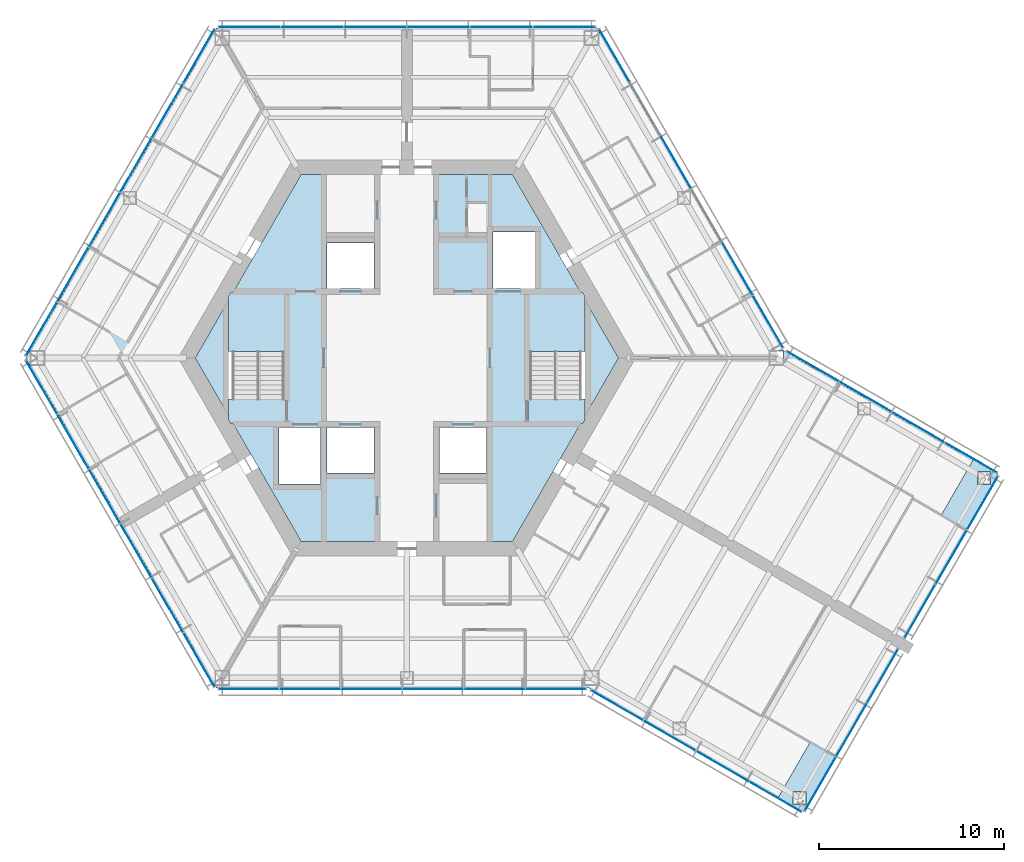
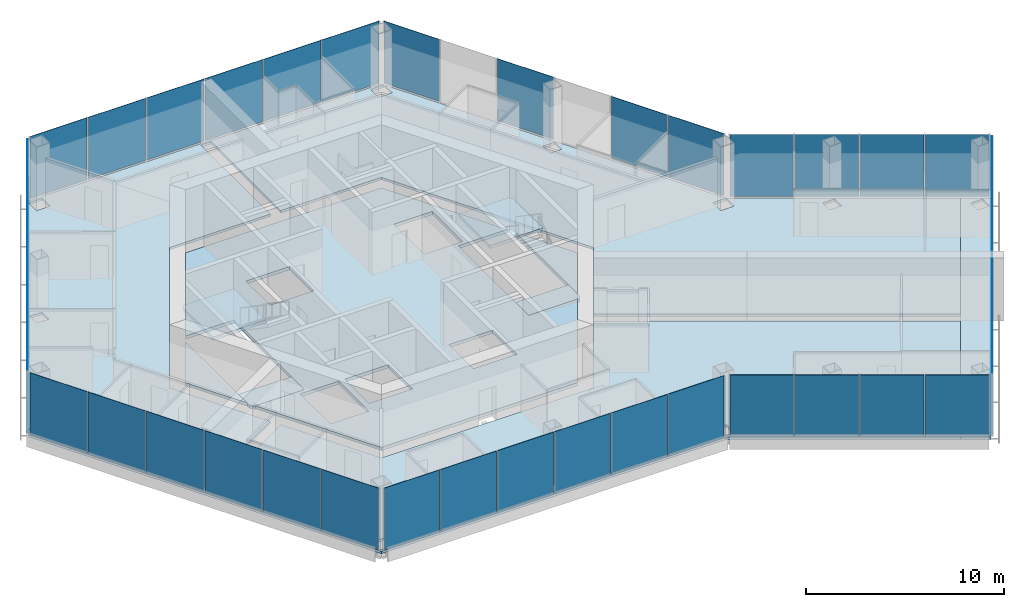
# One storey, part 8 of 17: 42 plates, 9 slabs, 11 elements without a shape of their own.
"""IFC4 building model written with IfcOpenShell, lengths in metres."""

from ifc_helpers import new_model, si_unit, direction, frame, origin, origin_2d, place, context, subcontext, project, spatial, polyline, rectangle, outline, extrude, material, layer, layer_set, type_object, element, aggregate, save


model = new_model("IFC4")

# Units and contexts
model_context = context("Model", 3, precision=1e-05, world=origin(), true_north=direction((0.0, 1.0)))
body_context = subcontext(model_context, "Body", "Model", "MODEL_VIEW")
ifc_project = project(units=[si_unit("LENGTHUNIT", "METRE"), si_unit("AREAUNIT", "SQUARE_METRE"), si_unit("VOLUMEUNIT", "CUBIC_METRE"), si_unit("PLANEANGLEUNIT", "RADIAN"), si_unit("MASSUNIT", "GRAM", prefix="KILO")], contexts=[model_context])

# Site, building, storey
site_placement = place(None, origin())
site = spatial("IfcSite", under=ifc_project, at=site_placement, CompositionType="ELEMENT")
building_placement = place(site_placement, origin())
building = spatial("IfcBuilding", under=site, at=building_placement, Name="Kasaneha Research Tower", CompositionType="ELEMENT")
storey_placement = place(building_placement, frame((0.0, 0.0, 224.5)))
storey = spatial("IfcBuildingStorey", under=building, at=storey_placement, Name="L56", CompositionType="ELEMENT", Elevation=224.5)

# Curtain wall, plates
ifc_material_1 = material(Name="Glass and aluminium", Category="aluminium")
curtain_wall_type = type_object("IfcCurtainWallType", Name="High-rise office curtain wall", PredefinedType="USERDEFINED", material=ifc_material_1)
curtain_wall_1_placement = place(storey_placement, origin())
curtain_wall_1 = element("IfcCurtainWall", 1, at=curtain_wall_1_placement, inside=storey, type_object=curtain_wall_type, Name="CW-O3 L56 run 01a", ObjectType="UNITISED CURTAIN WALL", PredefinedType="USERDEFINED")
ifc_material_2 = material(Name="Laminated double glazing", Category="glass")
ifc_layer_1 = layer(ifc_material_2, 0.02392578125)
ifc_layer_set_1 = layer_set([ifc_layer_1], Name="CW-O3 glazed panel")
plate_type = type_object("IfcPlateType", Name="CW-O3 glazed panel", PredefinedType="CURTAIN_PANEL", material=ifc_layer_set_1)
plate_1_placement = place(storey_placement, frame((19.549072265625, 1.981201171875, 0.06005859375), z_axis=(0.0, 0.0, 1.0), x_axis=(-0.499999979232, 0.866025415775, 0.0)))
plate_1 = element("IfcPlate", 2, at=plate_1_placement, type_object=plate_type, Name="CW-O3 panel 1", PredefinedType="CURTAIN_PANEL", context=body_context, shape_type="SweptSolid", body=[
    extrude(rectangle(XDim=3.240966796875, YDim=0.02392578125, at=origin_2d()), origin(), (0.0, 0.0, 1.0), 3.840087890625),
])
plate_2_placement = place(storey_placement, frame((17.89111328125, 4.852783203125, 0.06005859375), z_axis=(0.0, 0.0, 1.0), x_axis=(-0.499999979232, 0.866025415775, 0.0)))
plate_2 = element("IfcPlate", 3, at=plate_2_placement, type_object=plate_type, Name="CW-O3 panel 2", PredefinedType="CURTAIN_PANEL", context=body_context, shape_type="SweptSolid", body=[
    extrude(rectangle(XDim=3.27099609375, YDim=0.02392578125, at=origin_2d()), origin(), (0.0, 0.0, 1.0), 3.840087890625),
])
plate_3_placement = place(storey_placement, frame((14.56005859375, 10.622314453125, 0.06005859375), z_axis=(0.0, 0.0, 1.0), x_axis=(-0.499999979232, 0.866025415775, 0.0)))
plate_3 = element("IfcPlate", 4, at=plate_3_placement, type_object=plate_type, Name="CW-O3 panel 4", PredefinedType="CURTAIN_PANEL", context=body_context, shape_type="SweptSolid", body=[
    extrude(rectangle(XDim=3.27099609375, YDim=0.02392578125, at=origin_2d()), origin(), (0.0, 0.0, 1.0), 3.840087890625),
])
plate_4_placement = place(storey_placement, frame((11.236572265625, 16.378662109375, 0.06005859375), z_axis=(0.0, 0.0, 1.0), x_axis=(-0.499999979232, 0.866025415775, 0.0)))
plate_4 = element("IfcPlate", 5, at=plate_4_placement, type_object=plate_type, Name="CW-O3 panel 6", PredefinedType="CURTAIN_PANEL", context=body_context, shape_type="SweptSolid", body=[
    extrude(rectangle(XDim=3.240966796875, YDim=0.02392578125, at=origin_2d()), origin(), (0.0, 0.0, 1.0), 3.840087890625),
])
aggregate(curtain_wall_1, [plate_1, plate_2, plate_3, plate_4])

curtain_wall_2_placement = place(storey_placement, origin())
curtain_wall_2 = element("IfcCurtainWall", 6, at=curtain_wall_2_placement, inside=storey, type_object=curtain_wall_type, Name="CW-O3 L56 run 02a", ObjectType="UNITISED CURTAIN WALL", PredefinedType="USERDEFINED")
plate_5_placement = place(storey_placement, frame((8.523681640625, 17.92041015625, 0.06005859375), z_axis=(0.0, 0.0, 1.0), x_axis=(-1.0, 0.0, 0.0)))
plate_5 = element("IfcPlate", 7, at=plate_5_placement, type_object=plate_type, Name="CW-O3 panel 1", PredefinedType="CURTAIN_PANEL", context=body_context, shape_type="SweptSolid", body=[
    extrude(rectangle(XDim=3.325439453125, YDim=0.02392578125, at=origin_2d()), origin(), (0.0, 0.0, 1.0), 3.840087890625),
])
plate_6_placement = place(storey_placement, frame((5.123291015625, 17.92041015625, 0.06005859375), z_axis=(0.0, 0.0, 1.0), x_axis=(-1.0, 0.0, 0.0)))
plate_6 = element("IfcPlate", 8, at=plate_6_placement, type_object=plate_type, Name="CW-O3 panel 2", PredefinedType="CURTAIN_PANEL", context=body_context, shape_type="SweptSolid", body=[
    extrude(rectangle(XDim=3.35546875, YDim=0.02392578125, at=origin_2d()), origin(), (0.0, 0.0, 1.0), 3.840087890625),
])
plate_7_placement = place(storey_placement, frame((1.707763671875, 17.92041015625, 0.06005859375), z_axis=(0.0, 0.0, 1.0), x_axis=(-1.0, 0.0, 0.0)))
plate_7 = element("IfcPlate", 9, at=plate_7_placement, type_object=plate_type, Name="CW-O3 panel 3", PredefinedType="CURTAIN_PANEL", context=body_context, shape_type="SweptSolid", body=[
    extrude(rectangle(XDim=3.35546875, YDim=0.02392578125, at=origin_2d()), origin(), (0.0, 0.0, 1.0), 3.840087890625),
])
plate_8_placement = place(storey_placement, frame((-1.707763671875, 17.92041015625, 0.06005859375), z_axis=(0.0, 0.0, 1.0), x_axis=(-1.0, 0.0, 0.0)))
plate_8 = element("IfcPlate", 10, at=plate_8_placement, type_object=plate_type, Name="CW-O3 panel 4", PredefinedType="CURTAIN_PANEL", context=body_context, shape_type="SweptSolid", body=[
    extrude(rectangle(XDim=3.35546875, YDim=0.02392578125, at=origin_2d()), origin(), (0.0, 0.0, 1.0), 3.840087890625),
])
plate_9_placement = place(storey_placement, frame((-5.123291015625, 17.92041015625, 0.06005859375), z_axis=(0.0, 0.0, 1.0), x_axis=(-1.0, 0.0, 0.0)))
plate_9 = element("IfcPlate", 11, at=plate_9_placement, type_object=plate_type, Name="CW-O3 panel 5", PredefinedType="CURTAIN_PANEL", context=body_context, shape_type="SweptSolid", body=[
    extrude(rectangle(XDim=3.35546875, YDim=0.02392578125, at=origin_2d()), origin(), (0.0, 0.0, 1.0), 3.840087890625),
])
plate_10_placement = place(storey_placement, frame((-8.523681640625, 17.92041015625, 0.06005859375), z_axis=(0.0, 0.0, 1.0), x_axis=(-1.0, 0.0, 0.0)))
plate_10 = element("IfcPlate", 12, at=plate_10_placement, type_object=plate_type, Name="CW-O3 panel 6", PredefinedType="CURTAIN_PANEL", context=body_context, shape_type="SweptSolid", body=[
    extrude(rectangle(XDim=3.325439453125, YDim=0.02392578125, at=origin_2d()), origin(), (0.0, 0.0, 1.0), 3.840087890625),
])
aggregate(curtain_wall_2, [plate_5, plate_6, plate_7, plate_8, plate_9, plate_10])

curtain_wall_3_placement = place(storey_placement, origin())
curtain_wall_3 = element("IfcCurtainWall", 13, at=curtain_wall_3_placement, inside=storey, type_object=curtain_wall_type, Name="CW-O3 L56 run 03a", ObjectType="UNITISED CURTAIN WALL", PredefinedType="USERDEFINED")
plate_11_placement = place(storey_placement, frame((-11.2578125, 16.342041015625, 0.06005859375), z_axis=(0.0, 0.0, 1.0), x_axis=(-0.499999995722, -0.866025406254, 0.0)))
plate_11 = element("IfcPlate", 14, at=plate_11_placement, type_object=plate_type, Name="CW-O3 panel 1", PredefinedType="CURTAIN_PANEL", context=body_context, shape_type="SweptSolid", body=[
    extrude(rectangle(XDim=3.325439453125, YDim=0.02392578125, at=origin_2d()), origin(), (0.0, 0.0, 1.0), 3.840087890625),
])
plate_12_placement = place(storey_placement, frame((-12.9580078125, 13.39697265625, 0.06005859375), z_axis=(0.0, 0.0, 1.0), x_axis=(-0.499999995722, -0.866025406254, 0.0)))
plate_12 = element("IfcPlate", 15, at=plate_12_placement, type_object=plate_type, Name="CW-O3 panel 2", PredefinedType="CURTAIN_PANEL", context=body_context, shape_type="SweptSolid", body=[
    extrude(rectangle(XDim=3.35546875, YDim=0.02392578125, at=origin_2d()), origin(), (0.0, 0.0, 1.0), 3.840087890625),
])
plate_13_placement = place(storey_placement, frame((-14.665771484375, 10.439208984375, 0.06005859375), z_axis=(0.0, 0.0, 1.0), x_axis=(-0.499999995722, -0.866025406254, 0.0)))
plate_13 = element("IfcPlate", 16, at=plate_13_placement, type_object=plate_type, Name="CW-O3 panel 3", PredefinedType="CURTAIN_PANEL", context=body_context, shape_type="SweptSolid", body=[
    extrude(rectangle(XDim=3.35546875, YDim=0.02392578125, at=origin_2d()), origin(), (0.0, 0.0, 1.0), 3.840087890625),
])
plate_14_placement = place(storey_placement, frame((-16.37353515625, 7.481201171875, 0.06005859375), z_axis=(0.0, 0.0, 1.0), x_axis=(-0.499999995722, -0.866025406254, 0.0)))
plate_14 = element("IfcPlate", 17, at=plate_14_placement, type_object=plate_type, Name="CW-O3 panel 4", PredefinedType="CURTAIN_PANEL", context=body_context, shape_type="SweptSolid", body=[
    extrude(rectangle(XDim=3.35546875, YDim=0.02392578125, at=origin_2d()), origin(), (0.0, 0.0, 1.0), 3.840087890625),
])
plate_15_placement = place(storey_placement, frame((-18.081298828125, 4.5234375, 0.06005859375), z_axis=(0.0, 0.0, 1.0), x_axis=(-0.499999995722, -0.866025406254, 0.0)))
plate_15 = element("IfcPlate", 18, at=plate_15_placement, type_object=plate_type, Name="CW-O3 panel 5", PredefinedType="CURTAIN_PANEL", context=body_context, shape_type="SweptSolid", body=[
    extrude(rectangle(XDim=3.35546875, YDim=0.02392578125, at=origin_2d()), origin(), (0.0, 0.0, 1.0), 3.840087890625),
])
plate_16_placement = place(storey_placement, frame((-19.781494140625, 1.57861328125, 0.06005859375), z_axis=(0.0, 0.0, 1.0), x_axis=(-0.499999995722, -0.866025406254, 0.0)))
plate_16 = element("IfcPlate", 19, at=plate_16_placement, type_object=plate_type, Name="CW-O3 panel 6", PredefinedType="CURTAIN_PANEL", context=body_context, shape_type="SweptSolid", body=[
    extrude(rectangle(XDim=3.325439453125, YDim=0.02392578125, at=origin_2d()), origin(), (0.0, 0.0, 1.0), 3.840087890625),
])
aggregate(curtain_wall_3, [plate_11, plate_12, plate_13, plate_14, plate_15, plate_16])

curtain_wall_4_placement = place(storey_placement, origin())
curtain_wall_4 = element("IfcCurtainWall", 20, at=curtain_wall_4_placement, inside=storey, type_object=curtain_wall_type, Name="CW-O3 L56 run 04a", ObjectType="UNITISED CURTAIN WALL", PredefinedType="USERDEFINED")
plate_17_placement = place(storey_placement, frame((-19.781494140625, -1.57861328125, 0.06005859375), z_axis=(0.0, 0.0, 1.0), x_axis=(0.499999995722, -0.866025406254, 0.0)))
plate_17 = element("IfcPlate", 21, at=plate_17_placement, type_object=plate_type, Name="CW-O3 panel 1", PredefinedType="CURTAIN_PANEL", context=body_context, shape_type="SweptSolid", body=[
    extrude(rectangle(XDim=3.325439453125, YDim=0.02392578125, at=origin_2d()), origin(), (0.0, 0.0, 1.0), 3.840087890625),
])
plate_18_placement = place(storey_placement, frame((-18.081298828125, -4.5234375, 0.06005859375), z_axis=(0.0, 0.0, 1.0), x_axis=(0.499999995722, -0.866025406254, 0.0)))
plate_18 = element("IfcPlate", 22, at=plate_18_placement, type_object=plate_type, Name="CW-O3 panel 2", PredefinedType="CURTAIN_PANEL", context=body_context, shape_type="SweptSolid", body=[
    extrude(rectangle(XDim=3.35546875, YDim=0.02392578125, at=origin_2d()), origin(), (0.0, 0.0, 1.0), 3.840087890625),
])
plate_19_placement = place(storey_placement, frame((-16.37353515625, -7.481201171875, 0.06005859375), z_axis=(0.0, 0.0, 1.0), x_axis=(0.499999995722, -0.866025406254, 0.0)))
plate_19 = element("IfcPlate", 23, at=plate_19_placement, type_object=plate_type, Name="CW-O3 panel 3", PredefinedType="CURTAIN_PANEL", context=body_context, shape_type="SweptSolid", body=[
    extrude(rectangle(XDim=3.35546875, YDim=0.02392578125, at=origin_2d()), origin(), (0.0, 0.0, 1.0), 3.840087890625),
])
plate_20_placement = place(storey_placement, frame((-14.665771484375, -10.439208984375, 0.06005859375), z_axis=(0.0, 0.0, 1.0), x_axis=(0.499999995722, -0.866025406254, 0.0)))
plate_20 = element("IfcPlate", 24, at=plate_20_placement, type_object=plate_type, Name="CW-O3 panel 4", PredefinedType="CURTAIN_PANEL", context=body_context, shape_type="SweptSolid", body=[
    extrude(rectangle(XDim=3.35546875, YDim=0.02392578125, at=origin_2d()), origin(), (0.0, 0.0, 1.0), 3.840087890625),
])
plate_21_placement = place(storey_placement, frame((-12.9580078125, -13.39697265625, 0.06005859375), z_axis=(0.0, 0.0, 1.0), x_axis=(0.499999995722, -0.866025406254, 0.0)))
plate_21 = element("IfcPlate", 25, at=plate_21_placement, type_object=plate_type, Name="CW-O3 panel 5", PredefinedType="CURTAIN_PANEL", context=body_context, shape_type="SweptSolid", body=[
    extrude(rectangle(XDim=3.35546875, YDim=0.02392578125, at=origin_2d()), origin(), (0.0, 0.0, 1.0), 3.840087890625),
])
plate_22_placement = place(storey_placement, frame((-11.2578125, -16.342041015625, 0.06005859375), z_axis=(0.0, 0.0, 1.0), x_axis=(0.499999995722, -0.866025406254, 0.0)))
plate_22 = element("IfcPlate", 26, at=plate_22_placement, type_object=plate_type, Name="CW-O3 panel 6", PredefinedType="CURTAIN_PANEL", context=body_context, shape_type="SweptSolid", body=[
    extrude(rectangle(XDim=3.325439453125, YDim=0.02392578125, at=origin_2d()), origin(), (0.0, 0.0, 1.0), 3.840087890625),
])
aggregate(curtain_wall_4, [plate_17, plate_18, plate_19, plate_20, plate_21, plate_22])

curtain_wall_5_placement = place(storey_placement, origin())
curtain_wall_5 = element("IfcCurtainWall", 27, at=curtain_wall_5_placement, inside=storey, type_object=curtain_wall_type, Name="CW-O3 L56 run 05a", ObjectType="UNITISED CURTAIN WALL", PredefinedType="USERDEFINED")
plate_23_placement = place(storey_placement, frame((-8.56591796875, -17.92041015625, 0.06005859375), z_axis=(0.0, 0.0, 1.0), x_axis=(1.0, 0.0, 0.0)))
plate_23 = element("IfcPlate", 28, at=plate_23_placement, type_object=plate_type, Name="CW-O3 panel 1", PredefinedType="CURTAIN_PANEL", context=body_context, shape_type="SweptSolid", body=[
    extrude(rectangle(XDim=3.240966796875, YDim=0.02392578125, at=origin_2d()), origin(), (0.0, 0.0, 1.0), 3.840087890625),
])
plate_24_placement = place(storey_placement, frame((-5.25, -17.92041015625, 0.06005859375), z_axis=(0.0, 0.0, 1.0), x_axis=(1.0, 0.0, 0.0)))
plate_24 = element("IfcPlate", 29, at=plate_24_placement, type_object=plate_type, Name="CW-O3 panel 2", PredefinedType="CURTAIN_PANEL", context=body_context, shape_type="SweptSolid", body=[
    extrude(rectangle(XDim=3.27099609375, YDim=0.02392578125, at=origin_2d()), origin(), (0.0, 0.0, 1.0), 3.840087890625),
])
plate_25_placement = place(storey_placement, frame((-1.9189453125, -17.92041015625, 0.06005859375), z_axis=(0.0, 0.0, 1.0), x_axis=(1.0, 0.0, 0.0)))
plate_25 = element("IfcPlate", 30, at=plate_25_placement, type_object=plate_type, Name="CW-O3 panel 3", PredefinedType="CURTAIN_PANEL", context=body_context, shape_type="SweptSolid", body=[
    extrude(rectangle(XDim=3.27099609375, YDim=0.02392578125, at=origin_2d()), origin(), (0.0, 0.0, 1.0), 3.840087890625),
])
plate_26_placement = place(storey_placement, frame((1.411865234375, -17.92041015625, 0.06005859375), z_axis=(0.0, 0.0, 1.0), x_axis=(1.0, 0.0, 0.0)))
plate_26 = element("IfcPlate", 31, at=plate_26_placement, type_object=plate_type, Name="CW-O3 panel 4", PredefinedType="CURTAIN_PANEL", context=body_context, shape_type="SweptSolid", body=[
    extrude(rectangle(XDim=3.27099609375, YDim=0.02392578125, at=origin_2d()), origin(), (0.0, 0.0, 1.0), 3.840087890625),
])
plate_27_placement = place(storey_placement, frame((4.742919921875, -17.92041015625, 0.06005859375), z_axis=(0.0, 0.0, 1.0), x_axis=(1.0, 0.0, 0.0)))
plate_27 = element("IfcPlate", 32, at=plate_27_placement, type_object=plate_type, Name="CW-O3 panel 5", PredefinedType="CURTAIN_PANEL", context=body_context, shape_type="SweptSolid", body=[
    extrude(rectangle(XDim=3.27099609375, YDim=0.02392578125, at=origin_2d()), origin(), (0.0, 0.0, 1.0), 3.840087890625),
])
plate_28_placement = place(storey_placement, frame((8.058837890625, -17.92041015625, 0.06005859375), z_axis=(0.0, 0.0, 1.0), x_axis=(1.0, 0.0, 0.0)))
plate_28 = element("IfcPlate", 33, at=plate_28_placement, type_object=plate_type, Name="CW-O3 panel 6", PredefinedType="CURTAIN_PANEL", context=body_context, shape_type="SweptSolid", body=[
    extrude(rectangle(XDim=3.240966796875, YDim=0.02392578125, at=origin_2d()), origin(), (0.0, 0.0, 1.0), 3.840087890625),
])
aggregate(curtain_wall_5, [plate_23, plate_24, plate_25, plate_26, plate_27, plate_28])

curtain_wall_6_placement = place(storey_placement, origin())
curtain_wall_6 = element("IfcCurtainWall", 34, at=curtain_wall_6_placement, inside=storey, type_object=curtain_wall_type, Name="CW-O3 L56 run 06a", ObjectType="UNITISED CURTAIN WALL", PredefinedType="USERDEFINED")
plate_29_placement = place(storey_placement, frame((11.3720703125, -18.805419921875, 0.06005859375), z_axis=(0.0, 0.0, 1.0), x_axis=(0.866025411464, -0.499999986699, 0.0)))
plate_29 = element("IfcPlate", 35, at=plate_29_placement, type_object=plate_type, Name="CW-O3 panel 1", PredefinedType="CURTAIN_PANEL", context=body_context, shape_type="SweptSolid", body=[
    extrude(rectangle(XDim=3.2197265625, YDim=0.02392578125, at=origin_2d()), origin(), (0.0, 0.0, 1.0), 3.840087890625),
])
plate_30_placement = place(storey_placement, frame((14.225341796875, -20.452880859375, 0.06005859375), z_axis=(0.0, 0.0, 1.0), x_axis=(0.866025411464, -0.499999986699, 0.0)))
plate_30 = element("IfcPlate", 36, at=plate_30_placement, type_object=plate_type, Name="CW-O3 panel 2", PredefinedType="CURTAIN_PANEL", context=body_context, shape_type="SweptSolid", body=[
    extrude(rectangle(XDim=3.249755859375, YDim=0.02392578125, at=origin_2d()), origin(), (0.0, 0.0, 1.0), 3.840087890625),
])
plate_31_placement = place(storey_placement, frame((17.091796875, -22.107666015625, 0.06005859375), z_axis=(0.0, 0.0, 1.0), x_axis=(0.866025411464, -0.499999986699, 0.0)))
plate_31 = element("IfcPlate", 37, at=plate_31_placement, type_object=plate_type, Name="CW-O3 panel 3", PredefinedType="CURTAIN_PANEL", context=body_context, shape_type="SweptSolid", body=[
    extrude(rectangle(XDim=3.249755859375, YDim=0.02392578125, at=origin_2d()), origin(), (0.0, 0.0, 1.0), 3.840087890625),
])
plate_32_placement = place(storey_placement, frame((19.945068359375, -23.755126953125, 0.06005859375), z_axis=(0.0, 0.0, 1.0), x_axis=(0.866025411464, -0.499999986699, 0.0)))
plate_32 = element("IfcPlate", 38, at=plate_32_placement, type_object=plate_type, Name="CW-O3 panel 4", PredefinedType="CURTAIN_PANEL", context=body_context, shape_type="SweptSolid", body=[
    extrude(rectangle(XDim=3.2197265625, YDim=0.02392578125, at=origin_2d()), origin(), (0.0, 0.0, 1.0), 3.840087890625),
])
aggregate(curtain_wall_6, [plate_29, plate_30, plate_31, plate_32])

curtain_wall_7_placement = place(storey_placement, origin())
curtain_wall_7 = element("IfcCurtainWall", 39, at=curtain_wall_7_placement, inside=storey, type_object=curtain_wall_type, Name="CW-O3 L56 run 07a", ObjectType="UNITISED CURTAIN WALL", PredefinedType="USERDEFINED")
plate_33_placement = place(storey_placement, frame((22.385498046875, -23.068359375, 0.06005859375), z_axis=(0.0, 0.0, 1.0), x_axis=(0.500000011442, 0.866025397178, 0.0)))
plate_33 = element("IfcPlate", 40, at=plate_33_placement, type_object=plate_type, Name="CW-O3 panel 1", PredefinedType="CURTAIN_PANEL", context=body_context, shape_type="SweptSolid", body=[
    extrude(rectangle(XDim=3.31005859375, YDim=0.02392578125, at=origin_2d()), origin(), (0.0, 0.0, 1.0), 3.840087890625),
])
plate_34_placement = place(storey_placement, frame((24.077880859375, -20.13671875, 0.06005859375), z_axis=(0.0, 0.0, 1.0), x_axis=(0.500000011442, 0.866025397178, 0.0)))
plate_34 = element("IfcPlate", 41, at=plate_34_placement, type_object=plate_type, Name="CW-O3 panel 2", PredefinedType="CURTAIN_PANEL", context=body_context, shape_type="SweptSolid", body=[
    extrude(rectangle(XDim=3.340087890625, YDim=0.02392578125, at=origin_2d()), origin(), (0.0, 0.0, 1.0), 3.840087890625),
])
plate_35_placement = place(storey_placement, frame((25.7705078125, -17.205322265625, 0.06005859375), z_axis=(0.0, 0.0, 1.0), x_axis=(0.500000011442, 0.866025397178, 0.0)))
plate_35 = element("IfcPlate", 42, at=plate_35_placement, type_object=plate_type, Name="CW-O3 panel 3", PredefinedType="CURTAIN_PANEL", context=body_context, shape_type="SweptSolid", body=[
    extrude(rectangle(XDim=3.31005859375, YDim=0.02392578125, at=origin_2d()), origin(), (0.0, 0.0, 1.0), 3.840087890625),
])
aggregate(curtain_wall_7, [plate_33, plate_34, plate_35])

curtain_wall_8_placement = place(storey_placement, origin())
curtain_wall_8 = element("IfcCurtainWall", 43, at=curtain_wall_8_placement, inside=storey, type_object=curtain_wall_type, Name="CW-O3 L56 run 08a", ObjectType="UNITISED CURTAIN WALL", PredefinedType="USERDEFINED")
plate_36_placement = place(storey_placement, frame((27.785400390625, -13.71533203125, 0.06005859375), z_axis=(0.0, 0.0, 1.0), x_axis=(0.500000011442, 0.866025397178, 0.0)))
plate_36 = element("IfcPlate", 44, at=plate_36_placement, type_object=plate_type, Name="CW-O3 panel 1", PredefinedType="CURTAIN_PANEL", context=body_context, shape_type="SweptSolid", body=[
    extrude(rectangle(XDim=3.31005859375, YDim=0.02392578125, at=origin_2d()), origin(), (0.0, 0.0, 1.0), 3.840087890625),
])
plate_37_placement = place(storey_placement, frame((29.47802734375, -10.78369140625, 0.06005859375), z_axis=(0.0, 0.0, 1.0), x_axis=(0.500000011442, 0.866025397178, 0.0)))
plate_37 = element("IfcPlate", 45, at=plate_37_placement, type_object=plate_type, Name="CW-O3 panel 2", PredefinedType="CURTAIN_PANEL", context=body_context, shape_type="SweptSolid", body=[
    extrude(rectangle(XDim=3.340087890625, YDim=0.02392578125, at=origin_2d()), origin(), (0.0, 0.0, 1.0), 3.840087890625),
])
plate_38_placement = place(storey_placement, frame((31.17041015625, -7.852294921875, 0.06005859375), z_axis=(0.0, 0.0, 1.0), x_axis=(0.500000011442, 0.866025397178, 0.0)))
plate_38 = element("IfcPlate", 46, at=plate_38_placement, type_object=plate_type, Name="CW-O3 panel 3", PredefinedType="CURTAIN_PANEL", context=body_context, shape_type="SweptSolid", body=[
    extrude(rectangle(XDim=3.31005859375, YDim=0.02392578125, at=origin_2d()), origin(), (0.0, 0.0, 1.0), 3.840087890625),
])
aggregate(curtain_wall_8, [plate_36, plate_37, plate_38])

curtain_wall_9_placement = place(storey_placement, origin())
curtain_wall_9 = element("IfcCurtainWall", 47, at=curtain_wall_9_placement, inside=storey, type_object=curtain_wall_type, Name="CW-O3 L56 run 09a", ObjectType="UNITISED CURTAIN WALL", PredefinedType="USERDEFINED")
plate_39_placement = place(storey_placement, frame((30.545166015625, -5.3955078125, 0.06005859375), z_axis=(0.0, 0.0, 1.0), x_axis=(-0.866025411464, 0.499999986699, 0.0)))
plate_39 = element("IfcPlate", 48, at=plate_39_placement, type_object=plate_type, Name="CW-O3 panel 1", PredefinedType="CURTAIN_PANEL", context=body_context, shape_type="SweptSolid", body=[
    extrude(rectangle(XDim=3.2197265625, YDim=0.02392578125, at=origin_2d()), origin(), (0.0, 0.0, 1.0), 3.840087890625),
])
plate_40_placement = place(storey_placement, frame((27.69189453125, -3.748046875, 0.06005859375), z_axis=(0.0, 0.0, 1.0), x_axis=(-0.866025411464, 0.499999986699, 0.0)))
plate_40 = element("IfcPlate", 49, at=plate_40_placement, type_object=plate_type, Name="CW-O3 panel 2", PredefinedType="CURTAIN_PANEL", context=body_context, shape_type="SweptSolid", body=[
    extrude(rectangle(XDim=3.249755859375, YDim=0.02392578125, at=origin_2d()), origin(), (0.0, 0.0, 1.0), 3.840087890625),
])
plate_41_placement = place(storey_placement, frame((24.825439453125, -2.093017578125, 0.06005859375), z_axis=(0.0, 0.0, 1.0), x_axis=(-0.866025411464, 0.499999986699, 0.0)))
plate_41 = element("IfcPlate", 50, at=plate_41_placement, type_object=plate_type, Name="CW-O3 panel 3", PredefinedType="CURTAIN_PANEL", context=body_context, shape_type="SweptSolid", body=[
    extrude(rectangle(XDim=3.249755859375, YDim=0.02392578125, at=origin_2d()), origin(), (0.0, 0.0, 1.0), 3.840087890625),
])
plate_42_placement = place(storey_placement, frame((21.971923828125, -0.44580078125, 0.06005859375), z_axis=(0.0, 0.0, 1.0), x_axis=(-0.866025411464, 0.499999986699, 0.0)))
plate_42 = element("IfcPlate", 51, at=plate_42_placement, type_object=plate_type, Name="CW-O3 panel 4", PredefinedType="CURTAIN_PANEL", context=body_context, shape_type="SweptSolid", body=[
    extrude(rectangle(XDim=3.2197265625, YDim=0.02392578125, at=origin_2d()), origin(), (0.0, 0.0, 1.0), 3.840087890625),
])
aggregate(curtain_wall_9, [plate_39, plate_40, plate_41, plate_42])

# Slabs
ifc_material_3 = material(Name="Concrete Fc24", Category="concrete")
ifc_layer_2 = layer(ifc_material_3, 0.199951171875)
ifc_layer_set_2 = layer_set([ifc_layer_2], Name="Core floor slab 200")
slab_type_1 = type_object("IfcSlabType", Name="Core floor slab 200", PredefinedType="FLOOR", material=ifc_layer_set_2)
slab_1_placement = place(storey_placement, frame((0.0, 0.0, -0.199951171875)))
element("IfcSlab", 52, at=slab_1_placement, inside=storey, type_object=slab_type_1, Name="Core slab L56", PredefinedType="FLOOR", context=body_context, shape_type="SweptSolid", body=[
    extrude(outline(polyline([(-11.46044921875, 0.0), (-9.64990234375, 3.1357421875), (-9.64990234375, -3.1357421875), (-11.46044921875, 0.0)])), origin(), (0.0, 0.0, 1.0), 0.199951171875),
])
slab_2_placement = place(storey_placement, frame((0.0, 0.0, -0.199951171875)))
element("IfcSlab", 53, at=slab_2_placement, inside=storey, type_object=slab_type_1, Name="Core slab L56", PredefinedType="FLOOR", context=body_context, shape_type="SweptSolid", body=[
    extrude(outline(polyline([(-5.730224609375, 9.925048828125), (5.730224609375, 9.925048828125), (9.410888671875, 3.550048828125), (6.550048828125, 3.550048828125), (6.550048828125, -3.550048828125), (9.410888671875, -3.550048828125), (5.730224609375, -9.925048828125), (-5.730224609375, -9.925048828125), (-9.410888671875, -3.550048828125), (-6.550048828125, -3.550048828125), (-6.550048828125, 3.550048828125), (-9.410888671875, 3.550048828125), (-5.730224609375, 9.925048828125)]), holes=[polyline([(-6.925048828125, -3.77490234375), (-6.925048828125, -6.824951171875), (-4.675048828125, -6.824951171875), (-4.675048828125, -3.77490234375), (-6.925048828125, -3.77490234375)]), polyline([(-4.324951171875, -3.77490234375), (-4.324951171875, -6.22509765625), (-1.77490234375, -6.22509765625), (-1.77490234375, -3.77490234375), (-4.324951171875, -3.77490234375)]), polyline([(1.77490234375, -3.77490234375), (1.77490234375, -6.22509765625), (4.324951171875, -6.22509765625), (4.324951171875, -3.77490234375), (1.77490234375, -3.77490234375)]), polyline([(-1.77490234375, 6.22509765625), (-4.324951171875, 6.22509765625), (-4.324951171875, 3.77490234375), (-1.77490234375, 3.77490234375), (-1.77490234375, 6.22509765625)]), polyline([(6.925048828125, 6.824951171875), (4.675048828125, 6.824951171875), (4.675048828125, 3.77490234375), (6.925048828125, 3.77490234375), (6.925048828125, 6.824951171875)])]), origin(), (0.0, 0.0, 1.0), 0.199951171875),
])
slab_3_placement = place(storey_placement, frame((0.0, 0.0, -0.199951171875)))
element("IfcSlab", 54, at=slab_3_placement, inside=storey, type_object=slab_type_1, Name="Core slab L56", PredefinedType="FLOOR", context=body_context, shape_type="SweptSolid", body=[
    extrude(outline(polyline([(11.46044921875, 0.0), (9.64990234375, -3.1357421875), (9.64990234375, 3.1357421875), (11.46044921875, 0.0)])), origin(), (0.0, 0.0, 1.0), 0.199951171875),
])
ifc_material_4 = material(Name="Concrete Fc24", Category="concrete")
ifc_layer_3 = layer(ifc_material_4, 0.14990234375)
ifc_layer_set_3 = layer_set([ifc_layer_3], Name="Floor slab 150")
slab_type_2 = type_object("IfcSlabType", Name="Floor slab 150", PredefinedType="FLOOR", material=ifc_layer_set_3)
slab_4_placement = place(storey_placement, frame((0.0, 0.0, -0.14990234375)))
element("IfcSlab", 55, at=slab_4_placement, inside=storey, type_object=slab_type_2, Name="Floor slab L56 1", PredefinedType="FLOOR", context=body_context, shape_type="SweptSolid", body=[
    extrude(outline(polyline([(-10.317626953125, -17.87060546875), (-10.3974609375, -17.732177734375), (-10.385986328125, -17.720703125), (-9.599853515625, -17.720703125), (-9.599853515625, -16.92041015625), (-10.400146484375, -16.92041015625), (-10.400146484375, -17.70654296875), (-10.40771484375, -17.714111328125), (-20.635009765625, 0.0), (-20.40771484375, 0.3935546875), (-20.400146484375, 0.385986328125), (-20.400146484375, -0.400146484375), (-19.599853515625, -0.400146484375), (-19.599853515625, 0.400146484375), (-20.385986328125, 0.400146484375), (-20.3974609375, 0.41162109375), (-10.40771484375, 17.714111328125), (-10.400146484375, 17.70654296875), (-10.400146484375, 16.92041015625), (-9.599853515625, 16.92041015625), (-9.599853515625, 17.720703125), (-10.385986328125, 17.720703125), (-10.3974609375, 17.732177734375), (-10.317626953125, 17.87060546875), (10.317626953125, 17.87060546875), (10.3974609375, 17.732177734375), (10.385986328125, 17.720703125), (9.599853515625, 17.720703125), (9.599853515625, 16.92041015625), (10.400146484375, 16.92041015625), (10.400146484375, 17.70654296875), (10.40771484375, 17.714111328125), (20.3974609375, 0.41162109375), (20.385986328125, 0.400146484375), (19.599853515625, 0.400146484375), (19.599853515625, -0.400146484375), (20.400146484375, -0.400146484375), (20.400146484375, 0.385986328125), (20.41162109375, 0.3974609375), (30.65869140625, -5.518798828125), (25.53369140625, -14.3955078125), (9.438232421875, -5.102783203125), (12.38427734375, 0.0), (6.192138671875, 10.72509765625), (0.300048828125, 10.72509765625), (0.300048828125, 17.7705078125), (-0.300048828125, 17.7705078125), (-0.300048828125, 10.72509765625), (-6.192138671875, 10.72509765625), (-12.38427734375, 0.0), (-9.438232421875, -5.102783203125), (-15.539794921875, -8.62548828125), (-15.23974609375, -9.14501953125), (-9.13818359375, -5.622314453125), (-6.192138671875, -10.72509765625), (6.192138671875, -10.72509765625), (9.13818359375, -5.622314453125), (25.233642578125, -14.9150390625), (20.108642578125, -23.791748046875), (9.8525390625, -17.87060546875), (-10.317626953125, -17.87060546875)]), holes=[polyline([(-0.35009765625, -17.67041015625), (0.35009765625, -17.67041015625), (0.35009765625, -16.970458984375), (-0.35009765625, -16.970458984375), (-0.35009765625, -17.67041015625)]), polyline([(-15.35009765625, 8.310302734375), (-14.64990234375, 8.310302734375), (-14.64990234375, 9.01025390625), (-15.35009765625, 9.01025390625), (-15.35009765625, 8.310302734375)]), polyline([(14.4130859375, -20.42041015625), (15.113037109375, -20.42041015625), (15.113037109375, -19.720458984375), (14.4130859375, -19.720458984375), (14.4130859375, -20.42041015625)]), polyline([(9.60009765625, -17.720458984375), (10.39990234375, -17.720458984375), (10.39990234375, -16.92041015625), (9.60009765625, -16.92041015625), (9.60009765625, -17.720458984375)]), polyline([(24.4130859375, -3.10009765625), (25.113037109375, -3.10009765625), (25.113037109375, -2.39990234375), (24.4130859375, -2.39990234375), (24.4130859375, -3.10009765625)]), polyline([(14.64990234375, 9.01025390625), (14.64990234375, 8.310302734375), (15.35009765625, 8.310302734375), (15.35009765625, 9.01025390625), (14.64990234375, 9.01025390625)])]), origin(), (0.0, 0.0, 1.0), 0.14990234375),
])
slab_5_placement = place(storey_placement, frame((0.0, 0.0, -0.14990234375)))
element("IfcSlab", 56, at=slab_5_placement, inside=storey, type_object=slab_type_2, Name="Floor slab L56 2", PredefinedType="FLOOR", context=body_context, shape_type="SweptSolid", body=[
    extrude(outline(polyline([(32.009521484375, -6.298583984375), (21.459716796875, -24.57177734375), (20.108642578125, -23.791748046875), (25.233642578125, -14.9150390625), (25.2421875, -14.920166015625), (25.542236328125, -14.400390625), (25.53369140625, -14.3955078125), (30.65869140625, -5.518798828125), (32.009521484375, -6.298583984375)]), holes=[polyline([(20.908447265625, -24.17041015625), (21.6083984375, -24.17041015625), (21.6083984375, -23.470458984375), (20.908447265625, -23.470458984375), (20.908447265625, -24.17041015625)]), polyline([(30.908447265625, -6.85009765625), (31.6083984375, -6.85009765625), (31.6083984375, -6.14990234375), (30.908447265625, -6.14990234375), (30.908447265625, -6.85009765625)])]), origin(), (0.0, 0.0, 1.0), 0.14990234375),
])

# Stair, slabs
ifc_material_5 = material(Name="Concrete Fc24", Category="concrete")
stair_type = type_object("IfcStairType", Name="Half-turn stair 22 risers", PredefinedType="HALF_TURN_STAIR", material=ifc_material_5)
stair_1_placement = place(storey_placement, origin())
stair_1 = element("IfcStair", 57, at=stair_1_placement, inside=storey, type_object=stair_type, Name="Stair 1 L56", PredefinedType="HALF_TURN_STAIR")
ifc_material_6 = material(Name="Concrete Fc24", Category="concrete")
ifc_layer_4 = layer(ifc_material_6, 0.199951171875)
ifc_layer_set_4 = layer_set([ifc_layer_4], Name="Stair 1 landing 200")
slab_type_3 = type_object("IfcSlabType", Name="Stair 1 landing 200", PredefinedType="LANDING", material=ifc_layer_set_4)
slab_6_placement = place(storey_placement, frame((0.0, 0.0, -0.199951171875)))
slab_6 = element("IfcSlab", 58, at=slab_6_placement, type_object=slab_type_3, Name="ST1-22R landing 1", PredefinedType="LANDING", context=body_context, shape_type="SweptSolid", body=[
    extrude(outline(polyline([(9.5263671875, -3.550048828125), (6.550048828125, -3.550048828125), (6.550048828125, -2.22509765625), (9.64990234375, -2.22509765625), (9.64990234375, -3.335693359375), (9.5263671875, -3.550048828125)])), origin(), (0.0, 0.0, 1.0), 0.199951171875),
])
slab_7_placement = place(storey_placement, frame((0.0, 0.0, 1.75)))
slab_7 = element("IfcSlab", 59, at=slab_7_placement, type_object=slab_type_3, Name="ST1-22R landing 2", PredefinedType="LANDING", context=body_context, shape_type="SweptSolid", body=[
    extrude(outline(polyline([(6.550048828125, 3.550048828125), (9.5263671875, 3.550048828125), (9.64990234375, 3.335693359375), (9.64990234375, 0.35009765625), (6.550048828125, 0.35009765625), (6.550048828125, 3.550048828125)])), origin(), (0.0, 0.0, 1.0), 0.199951171875),
])
aggregate(stair_1, [slab_6, slab_7])

stair_2_placement = place(storey_placement, origin())
stair_2 = element("IfcStair", 60, at=stair_2_placement, inside=storey, type_object=stair_type, Name="Stair 2 L56", PredefinedType="HALF_TURN_STAIR")
ifc_material_7 = material(Name="Concrete Fc24", Category="concrete")
ifc_layer_5 = layer(ifc_material_7, 0.199951171875)
ifc_layer_set_5 = layer_set([ifc_layer_5], Name="Stair 2 landing 200")
slab_type_4 = type_object("IfcSlabType", Name="Stair 2 landing 200", PredefinedType="LANDING", material=ifc_layer_set_5)
slab_8_placement = place(storey_placement, frame((0.0, 0.0, -0.199951171875)))
slab_8 = element("IfcSlab", 61, at=slab_8_placement, type_object=slab_type_4, Name="ST2-22R landing 1", PredefinedType="LANDING", context=body_context, shape_type="SweptSolid", body=[
    extrude(outline(polyline([(-6.550048828125, -3.550048828125), (-9.5263671875, -3.550048828125), (-9.64990234375, -3.335693359375), (-9.64990234375, -2.22509765625), (-6.550048828125, -2.22509765625), (-6.550048828125, -3.550048828125)])), origin(), (0.0, 0.0, 1.0), 0.199951171875),
])
slab_9_placement = place(storey_placement, frame((0.0, 0.0, 1.75)))
slab_9 = element("IfcSlab", 62, at=slab_9_placement, type_object=slab_type_4, Name="ST2-22R landing 2", PredefinedType="LANDING", context=body_context, shape_type="SweptSolid", body=[
    extrude(outline(polyline([(-6.550048828125, 0.35009765625), (-9.64990234375, 0.35009765625), (-9.64990234375, 3.335693359375), (-9.5263671875, 3.550048828125), (-6.550048828125, 3.550048828125), (-6.550048828125, 0.35009765625)])), origin(), (0.0, 0.0, 1.0), 0.199951171875),
])
aggregate(stair_2, [slab_8, slab_9])

save(model, "model.ifc")
